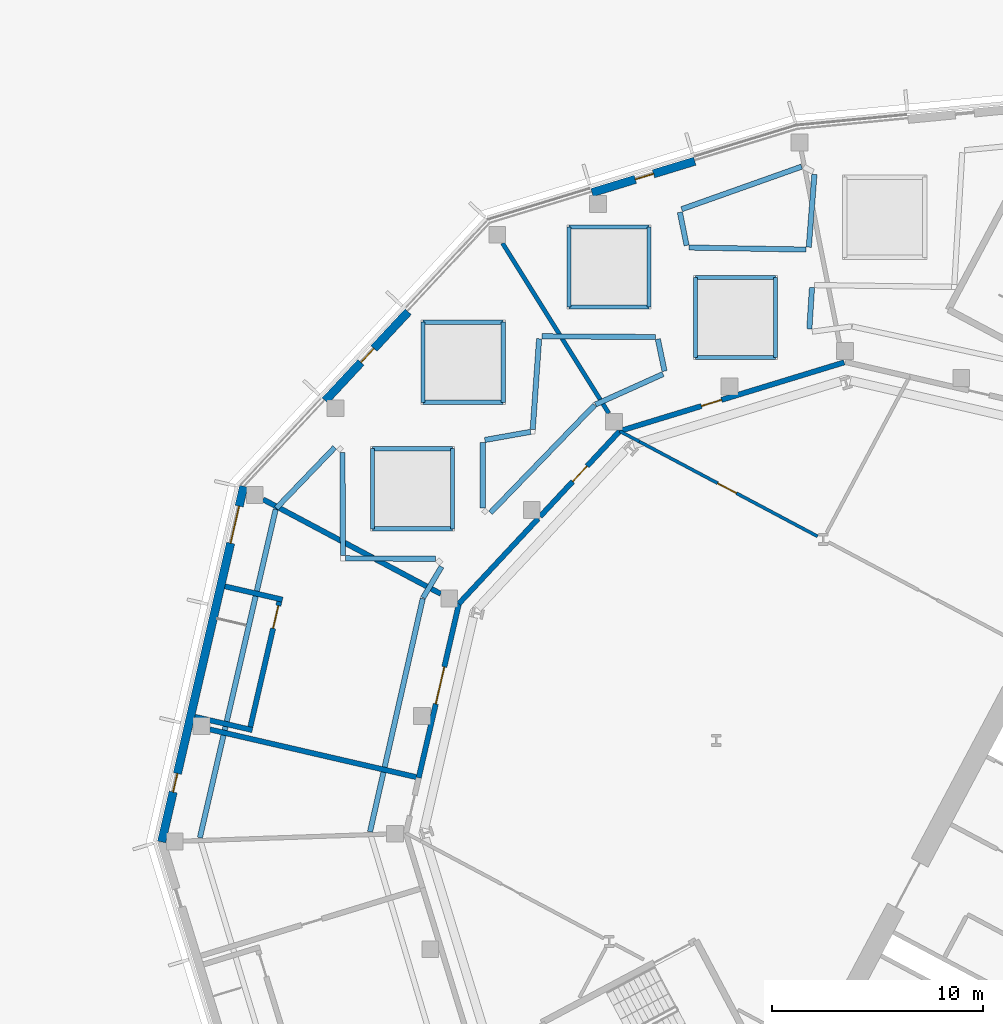
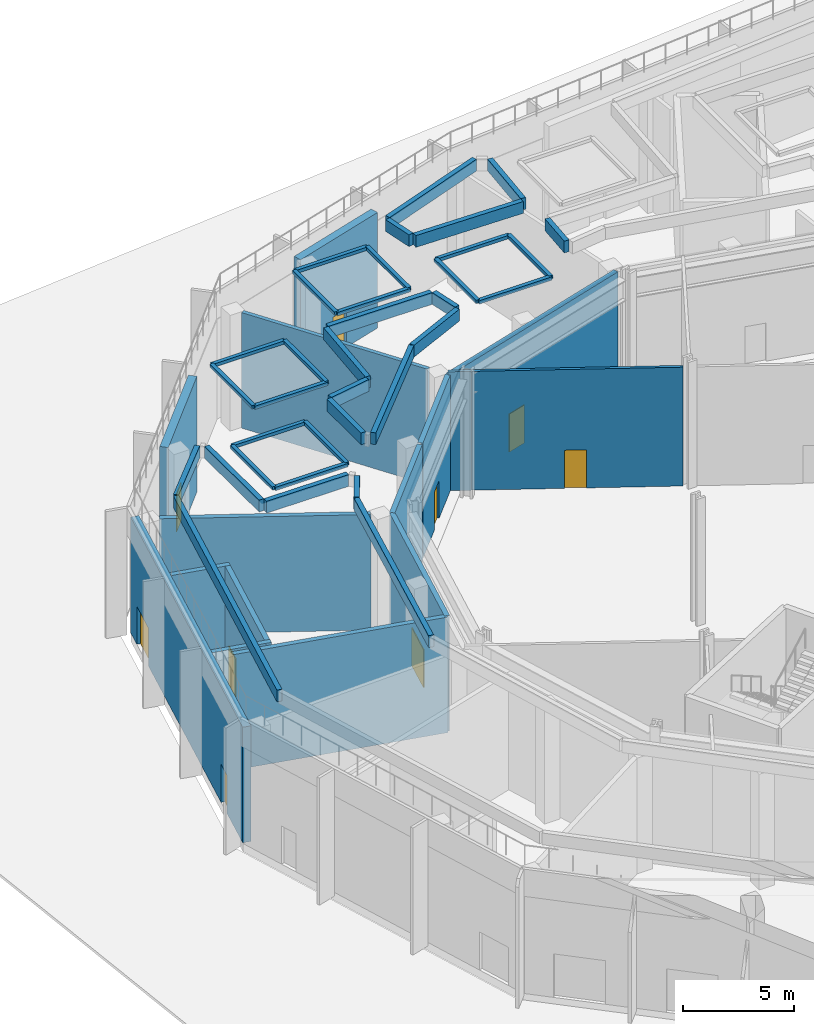
# One storey, part 22 of 57: 49 walls, 9 doors, 9 openings.
"""IFC4 building model written with IfcOpenShell, lengths in metres."""

from ifc_helpers import new_model, si_unit, direction, frame, frame_2d, origin, place, context, subcontext, project, spatial, rectangle, extrude, material, layer, layer_set, type_object, element, fill, save


model = new_model("IFC4")

# Units and contexts
model_context = context("Model", 3, precision=1e-05, world=origin(), true_north=direction((0.0, 1.0)))
body_context = subcontext(model_context, "Body", "Model", "MODEL_VIEW")
ifc_project = project(units=[si_unit("LENGTHUNIT", "METRE"), si_unit("AREAUNIT", "SQUARE_METRE"), si_unit("VOLUMEUNIT", "CUBIC_METRE"), si_unit("PLANEANGLEUNIT", "RADIAN"), si_unit("MASSUNIT", "GRAM", prefix="KILO")], contexts=[model_context])

# Site, building, storey
site_placement = place(None, origin())
site = spatial("IfcSite", under=ifc_project, at=site_placement, CompositionType="ELEMENT")
building_placement = place(site_placement, origin())
building = spatial("IfcBuilding", under=site, at=building_placement, Name="Cormorant Relay Tower", CompositionType="ELEMENT")
storey_placement = place(building_placement, origin())
storey = spatial("IfcBuildingStorey", under=building, at=storey_placement, Name="L00", CompositionType="ELEMENT", Elevation=0.0)

# Wall, opening, door
ifc_material_1 = material(Name="Concrete 40 MPa with granite cladding", Category="masonry")
ifc_layer_1 = layer(ifc_material_1, 0.39990234375)
ifc_layer_set_1 = layer_set([ifc_layer_1], Name="Base facade wall 400")
wall_type_1 = type_object("IfcWallType", Name="Base facade wall 400", PredefinedType="SOLIDWALL", material=ifc_layer_set_1)
wall_1_placement = place(storey_placement, frame((-47.6357421875, 52.260498046875, 0.0), z_axis=(0.0, 0.0, 1.0), x_axis=(-0.956302482885, -0.292379139524, 0.0)))
wall_1 = element("IfcWall", 1, at=wall_1_placement, inside=storey, type_object=wall_type_1, Name="Base facade wall", PredefinedType="SOLIDWALL", context=body_context, shape_type="SweptSolid", body=[
    extrude(rectangle(XDim=5.09765625, YDim=0.39990234375, at=frame_2d((2.548828125, 0.0))), origin(), (0.0, 0.0, 1.0), 6.3701171875),
])
opening_1_placement = place(wall_1_placement, frame((2.049072265625, 0.0, 0.0)))
opening_1 = element("IfcOpeningElement", 2, at=opening_1_placement, cuts=wall_1, Name="Opening PD4-008", PredefinedType="OPENING", context=body_context, shape_type="SweptSolid", body=[
    extrude(rectangle(XDim=0.89990234375, YDim=2.10009765625, at=frame_2d((0.449951171875, 1.050048828125))), frame((0.0, 0.2099609375, 0.0), z_axis=(0.0, -1.0, 0.0), x_axis=(1.0, 0.0, 0.0)), (0.0, 0.0, 1.0), 0.419921875),
])
ifc_material_2 = material(Name="Steel door leaf", Category="steel")
door_type_1 = type_object("IfcDoorType", Name="Door service 900", OperationType="SINGLE_SWING_LEFT", PredefinedType="DOOR", material=ifc_material_2)
door_1_placement = place(opening_1_placement, frame((0.89990234375, 0.0, 0.0), z_axis=(0.0, 0.0, 1.0), x_axis=(-1.0, 0.0, 0.0)))
door_1 = element("IfcDoor", 3, at=door_1_placement, inside=storey, type_object=door_type_1, Name="Service door", OperationType="SINGLE_SWING_RIGHT", OverallHeight=2.10009765625, OverallWidth=0.89990234375, PredefinedType="DOOR", context=body_context, shape_type="SweptSolid", body=[
    extrude(rectangle(XDim=0.89990234375, YDim=2.10009765625, at=frame_2d((0.449951171875, 1.050048828125))), frame((0.0, 0.02490234375, 0.0), z_axis=(0.0, -1.0, 0.0), x_axis=(1.0, 0.0, 0.0)), (0.0, 0.0, 1.0), 0.050048828125),
])
fill(opening_1, door_1)

wall_2_placement = place(storey_placement, frame((-61.231201171875, 45.11669921875, 0.0), z_axis=(0.0, 0.0, 1.0), x_axis=(-0.681974287306, -0.731376149087, 0.0)))
wall_2 = element("IfcWall", 4, at=wall_2_placement, inside=storey, type_object=wall_type_1, Name="Base facade wall", PredefinedType="SOLIDWALL", context=body_context, shape_type="SweptSolid", body=[
    extrude(rectangle(XDim=5.767333984375, YDim=0.39990234375, at=frame_2d((2.8837890625, 0.0))), origin(), (0.0, 0.0, 1.0), 6.3701171875),
])
opening_2_placement = place(wall_2_placement, frame((2.383544921875, 0.0, 0.0)))
opening_2 = element("IfcOpeningElement", 5, at=opening_2_placement, cuts=wall_2, Name="Opening PD4-009", PredefinedType="OPENING", context=body_context, shape_type="SweptSolid", body=[
    extrude(rectangle(XDim=0.89990234375, YDim=2.10009765625, at=frame_2d((0.449951171875, 1.050048828125))), frame((0.0, 0.2099609375, 0.0), z_axis=(0.0, -1.0, 0.0), x_axis=(1.0, 0.0, 0.0)), (0.0, 0.0, 1.0), 0.419921875),
])
door_2_placement = place(opening_2_placement, frame((0.89990234375, 0.0, 0.0), z_axis=(0.0, 0.0, 1.0), x_axis=(-1.0, 0.0, 0.0)))
door_2 = element("IfcDoor", 6, at=door_2_placement, inside=storey, type_object=door_type_1, Name="Service door", OperationType="SINGLE_SWING_RIGHT", OverallHeight=2.10009765625, OverallWidth=0.89990234375, PredefinedType="DOOR", context=body_context, shape_type="SweptSolid", body=[
    extrude(rectangle(XDim=0.89990234375, YDim=2.10009765625, at=frame_2d((0.449951171875, 1.050048828125))), frame((0.0, 0.02490234375, 0.0), z_axis=(0.0, -1.0, 0.0), x_axis=(1.0, 0.0, 0.0)), (0.0, 0.0, 1.0), 0.050048828125),
])
fill(opening_2, door_2)

# Wall, openings, doors
wall_3_placement = place(storey_placement, frame((-69.033935546875, 36.837158203125, 0.0), z_axis=(0.0, 0.0, 1.0), x_axis=(-0.224951161352, -0.974370040081, 0.0)))
wall_3 = element("IfcWall", 7, at=wall_3_placement, inside=storey, type_object=wall_type_1, Name="Base facade wall", PredefinedType="SOLIDWALL", context=body_context, shape_type="SweptSolid", body=[
    extrude(rectangle(XDim=17.31396484375, YDim=0.39990234375, at=frame_2d((8.656982421875, 0.0))), origin(), (0.0, 0.0, 1.0), 6.3701171875),
])
opening_3_placement = place(wall_3_placement, frame((0.96630859375, 0.0, 0.0)))
opening_3 = element("IfcOpeningElement", 8, at=opening_3_placement, cuts=wall_3, Name="Opening PD3-013", PredefinedType="OPENING", context=body_context, shape_type="SweptSolid", body=[
    extrude(rectangle(XDim=1.800048828125, YDim=2.10009765625, at=frame_2d((0.89990234375, 1.050048828125))), frame((0.0, 0.2099609375, 0.0), z_axis=(0.0, -1.0, 0.0), x_axis=(1.0, 0.0, 0.0)), (0.0, 0.0, 1.0), 0.419921875),
])
opening_4_placement = place(wall_3_placement, frame((13.984130859375, 0.0, 0.0)))
opening_4 = element("IfcOpeningElement", 9, at=opening_4_placement, cuts=wall_3, Name="Opening PD4-010", PredefinedType="OPENING", context=body_context, shape_type="SweptSolid", body=[
    extrude(rectangle(XDim=0.89990234375, YDim=2.10009765625, at=frame_2d((0.449951171875, 1.050048828125))), frame((0.0, 0.2099609375, 0.0), z_axis=(0.0, -1.0, 0.0), x_axis=(1.0, 0.0, 0.0)), (0.0, 0.0, 1.0), 0.419921875),
])
ifc_material_3 = material(Name="Steel door leaf", Category="steel")
door_type_2 = type_object("IfcDoorType", Name="Door double 1800", OperationType="DOUBLE_DOOR_SINGLE_SWING", PredefinedType="DOOR", material=ifc_material_3)
door_3_placement = place(opening_3_placement, frame((1.800048828125, 0.0, 0.0), z_axis=(0.0, 0.0, 1.0), x_axis=(-1.0, 0.0, 0.0)))
door_3 = element("IfcDoor", 10, at=door_3_placement, inside=storey, type_object=door_type_2, Name="Exit door", OperationType="DOUBLE_DOOR_SINGLE_SWING", OverallHeight=2.10009765625, OverallWidth=1.800048828125, PredefinedType="DOOR", context=body_context, shape_type="SweptSolid", body=[
    extrude(rectangle(XDim=1.800048828125, YDim=2.10009765625, at=frame_2d((0.89990234375, 1.050048828125))), frame((0.0, 0.02490234375, 0.0), z_axis=(0.0, -1.0, 0.0), x_axis=(1.0, 0.0, 0.0)), (0.0, 0.0, 1.0), 0.050048828125),
])
fill(opening_3, door_3)
door_4_placement = place(opening_4_placement, frame((0.89990234375, 0.0, 0.0), z_axis=(0.0, 0.0, 1.0), x_axis=(-1.0, 0.0, 0.0)))
door_4 = element("IfcDoor", 11, at=door_4_placement, inside=storey, type_object=door_type_1, Name="Service door", OperationType="SINGLE_SWING_RIGHT", OverallHeight=2.10009765625, OverallWidth=0.89990234375, PredefinedType="DOOR", context=body_context, shape_type="SweptSolid", body=[
    extrude(rectangle(XDim=0.89990234375, YDim=2.10009765625, at=frame_2d((0.449951171875, 1.050048828125))), frame((0.0, 0.02490234375, 0.0), z_axis=(0.0, -1.0, 0.0), x_axis=(1.0, 0.0, 0.0)), (0.0, 0.0, 1.0), 0.050048828125),
])
fill(opening_4, door_4)

# Walls
ifc_material_4 = material(Name="Concrete 30 MPa upstand", Category="concrete")
ifc_layer_2 = layer(ifc_material_4, 0.199951171875)
ifc_layer_set_2 = layer_set([ifc_layer_2], Name="Deck rooflight kerb 200")
wall_type_2 = type_object("IfcWallType", Name="Deck rooflight kerb 200", PredefinedType="SOLIDWALL", material=ifc_layer_set_2)
for number, where, z_axis, x_axis, name in (
    (12, (-49.805908203125, 45.343017578125, 6.919921875), (0.0, 0.0, 1.0), (-1.0, 0.0, 0.0), "Rooflight kerb"),
    (13, (-53.60595703125, 45.343017578125, 6.919921875), (0.0, 0.0, 1.0), (0.0, 1.0, 0.0), "Rooflight kerb"),
    (14, (-53.60595703125, 49.14306640625, 6.919921875), (0.0, 0.0, 1.0), (1.0, 0.0, 0.0), "Rooflight kerb"),
    (15, (-49.805908203125, 49.14306640625, 6.919921875), (0.0, 0.0, 1.0), (0.0, -1.0, 0.0), "Rooflight kerb"),
    (16, (-43.805908203125, 42.943115234375, 6.919921875), (0.0, 0.0, 1.0), (-1.0, 0.0, 0.0), "Rooflight kerb"),
):
    element("IfcWall", number, at=place(storey_placement, frame(where, z_axis=z_axis, x_axis=x_axis)), inside=storey, type_object=wall_type_2, Name=name, PredefinedType="SOLIDWALL", context=body_context, shape_type="SweptSolid", body=[
        extrude(rectangle(XDim=3.800048828125, YDim=0.199951171875, at=frame_2d((1.89990234375, 0.0))), origin(), (0.0, 0.0, 1.0), 0.18017578125),
    ])
wall_4_placement = place(storey_placement, frame((-47.60595703125, 42.943115234375, 6.919921875), z_axis=(0.0, 0.0, 1.0), x_axis=(0.0, 1.0, 0.0)))
element("IfcWall", 17, at=wall_4_placement, inside=storey, type_object=wall_type_2, Name="Rooflight kerb", PredefinedType="SOLIDWALL", context=body_context, shape_type="SweptSolid", body=[
    extrude(rectangle(XDim=3.7998046875, YDim=0.199951171875, at=frame_2d((1.89990234375, 0.0))), origin(), (0.0, 0.0, 1.0), 0.18017578125),
])
wall_5_placement = place(storey_placement, frame((-47.60595703125, 46.742919921875, 6.919921875), z_axis=(0.0, 0.0, 1.0), x_axis=(1.0, 0.0, 0.0)))
element("IfcWall", 18, at=wall_5_placement, inside=storey, type_object=wall_type_2, Name="Rooflight kerb", PredefinedType="SOLIDWALL", context=body_context, shape_type="SweptSolid", body=[
    extrude(rectangle(XDim=3.800048828125, YDim=0.199951171875, at=frame_2d((1.89990234375, 0.0))), origin(), (0.0, 0.0, 1.0), 0.18017578125),
])
wall_6_placement = place(storey_placement, frame((-43.805908203125, 46.742919921875, 6.919921875), z_axis=(0.0, 0.0, 1.0), x_axis=(0.0, -1.0, 0.0)))
element("IfcWall", 19, at=wall_6_placement, inside=storey, type_object=wall_type_2, Name="Rooflight kerb", PredefinedType="SOLIDWALL", context=body_context, shape_type="SweptSolid", body=[
    extrude(rectangle(XDim=3.7998046875, YDim=0.199951171875, at=frame_2d((1.89990234375, 0.0))), origin(), (0.0, 0.0, 1.0), 0.18017578125),
])
for number, where, z_axis, x_axis, name in (
    (20, (-59.1240234375, 34.820068359375, 6.919921875), (0.0, 0.0, 1.0), (-1.0, 0.0, 0.0), "Rooflight kerb"),
    (21, (-62.924072265625, 34.820068359375, 6.919921875), (0.0, 0.0, 1.0), (0.0, 1.0, 0.0), "Rooflight kerb"),
    (22, (-62.924072265625, 38.6201171875, 6.919921875), (0.0, 0.0, 1.0), (1.0, 0.0, 0.0), "Rooflight kerb"),
    (23, (-59.1240234375, 38.6201171875, 6.919921875), (0.0, 0.0, 1.0), (0.0, -1.0, 0.0), "Rooflight kerb"),
):
    element("IfcWall", number, at=place(storey_placement, frame(where, z_axis=z_axis, x_axis=x_axis)), inside=storey, type_object=wall_type_2, Name=name, PredefinedType="SOLIDWALL", context=body_context, shape_type="SweptSolid", body=[
        extrude(rectangle(XDim=3.800048828125, YDim=0.199951171875, at=frame_2d((1.89990234375, 0.0))), origin(), (0.0, 0.0, 1.0), 0.18017578125),
    ])
wall_7_placement = place(storey_placement, frame((-56.72412109375, 40.820068359375, 6.919921875), z_axis=(0.0, 0.0, 1.0), x_axis=(-1.0, 0.0, 0.0)))
element("IfcWall", 24, at=wall_7_placement, inside=storey, type_object=wall_type_2, Name="Rooflight kerb", PredefinedType="SOLIDWALL", context=body_context, shape_type="SweptSolid", body=[
    extrude(rectangle(XDim=3.7998046875, YDim=0.199951171875, at=frame_2d((1.89990234375, 0.0))), origin(), (0.0, 0.0, 1.0), 0.18017578125),
])
wall_8_placement = place(storey_placement, frame((-60.52392578125, 40.820068359375, 6.919921875), z_axis=(0.0, 0.0, 1.0), x_axis=(0.0, 1.0, 0.0)))
element("IfcWall", 25, at=wall_8_placement, inside=storey, type_object=wall_type_2, Name="Rooflight kerb", PredefinedType="SOLIDWALL", context=body_context, shape_type="SweptSolid", body=[
    extrude(rectangle(XDim=3.800048828125, YDim=0.199951171875, at=frame_2d((1.89990234375, 0.0))), origin(), (0.0, 0.0, 1.0), 0.18017578125),
])
wall_9_placement = place(storey_placement, frame((-60.52392578125, 44.6201171875, 6.919921875), z_axis=(0.0, 0.0, 1.0), x_axis=(1.0, 0.0, 0.0)))
element("IfcWall", 26, at=wall_9_placement, inside=storey, type_object=wall_type_2, Name="Rooflight kerb", PredefinedType="SOLIDWALL", context=body_context, shape_type="SweptSolid", body=[
    extrude(rectangle(XDim=3.7998046875, YDim=0.199951171875, at=frame_2d((1.89990234375, 0.0))), origin(), (0.0, 0.0, 1.0), 0.18017578125),
])
wall_10_placement = place(storey_placement, frame((-56.72412109375, 44.6201171875, 6.919921875), z_axis=(0.0, 0.0, 1.0), x_axis=(0.0, -1.0, 0.0)))
element("IfcWall", 27, at=wall_10_placement, inside=storey, type_object=wall_type_2, Name="Rooflight kerb", PredefinedType="SOLIDWALL", context=body_context, shape_type="SweptSolid", body=[
    extrude(rectangle(XDim=3.800048828125, YDim=0.199951171875, at=frame_2d((1.89990234375, 0.0))), origin(), (0.0, 0.0, 1.0), 0.18017578125),
])

# Wall, opening, door
ifc_material_5 = material(Name="Concrete masonry 20 MPa", Category="masonry")
ifc_layer_3 = layer(ifc_material_5, 0.25)
ifc_layer_set_3 = layer_set([ifc_layer_3], Name="Fire separation wall 250")
wall_type_3 = type_object("IfcWallType", Name="Fire separation wall 250", PredefinedType="SOLIDWALL", material=ifc_layer_set_3)
wall_11_placement = place(storey_placement, frame((-51.19287109375, 39.458984375, 0.0), z_axis=(0.0, 0.0, 1.0), x_axis=(0.95625380249, 0.292538314113, 0.0)))
wall_11 = element("IfcWall", 28, at=wall_11_placement, inside=storey, type_object=wall_type_3, Name="Partition", PredefinedType="SOLIDWALL", context=body_context, shape_type="SweptSolid", body=[
    extrude(rectangle(XDim=11.133056640625, YDim=0.25, at=frame_2d((5.56640625, 0.0))), origin(), (0.0, 0.0, 1.0), 6.3701171875),
])
opening_5_placement = place(wall_11_placement, frame((4.050048828125, 0.0, 0.0)))
opening_5 = element("IfcOpeningElement", 29, at=opening_5_placement, cuts=wall_11, Name="Opening PD1-068", PredefinedType="OPENING", context=body_context, shape_type="SweptSolid", body=[
    extrude(rectangle(XDim=1.0, YDim=2.10009765625, at=frame_2d((0.5, 1.050048828125))), frame((0.0, 0.135009765625, 0.0), z_axis=(0.0, -1.0, 0.0), x_axis=(1.0, 0.0, 0.0)), (0.0, 0.0, 1.0), 0.27001953125),
])
ifc_material_6 = material(Name="Steel door leaf", Category="steel")
door_type_3 = type_object("IfcDoorType", Name="Door single 1000", OperationType="SINGLE_SWING_LEFT", PredefinedType="DOOR", material=ifc_material_6)
door_5_placement = place(opening_5_placement, frame((1.0, 0.0, 0.0), z_axis=(0.0, 0.0, 1.0), x_axis=(-1.0, 0.0, 0.0)))
door_5 = element("IfcDoor", 30, at=door_5_placement, inside=storey, type_object=door_type_3, Name="Door", OperationType="SINGLE_SWING_LEFT", OverallHeight=2.10009765625, OverallWidth=1.0, PredefinedType="DOOR", context=body_context, shape_type="SweptSolid", body=[
    extrude(rectangle(XDim=1.0, YDim=2.10009765625, at=frame_2d((0.5, 1.050048828125))), frame((0.0, 0.02490234375, 0.0), z_axis=(0.0, -1.0, 0.0), x_axis=(1.0, 0.0, 0.0)), (0.0, 0.0, 1.0), 0.050048828125),
])
fill(opening_5, door_5)

# Walls
wall_12_placement = place(storey_placement, frame((-68.112060546875, 36.2158203125, 0.0), z_axis=(0.0, 0.0, 1.0), x_axis=(0.882949504028, -0.469467968382, 0.0)))
element("IfcWall", 31, at=wall_12_placement, inside=storey, type_object=wall_type_3, Name="Partition", PredefinedType="SOLIDWALL", context=body_context, shape_type="SweptSolid", body=[
    extrude(rectangle(XDim=9.550048828125, YDim=0.25, at=frame_2d((4.77490234375, 0.0))), origin(), (0.0, 0.0, 1.0), 6.3701171875),
])
wall_13_placement = place(storey_placement, frame((-58.823974609375, 31.272705078125, 0.0), z_axis=(0.0, 0.0, 1.0), x_axis=(0.681856343792, 0.73148610816, 0.0)))
element("IfcWall", 32, at=wall_13_placement, inside=storey, type_object=wall_type_3, Name="Partition", PredefinedType="SOLIDWALL", context=body_context, shape_type="SweptSolid", body=[
    extrude(rectangle(XDim=5.519287109375, YDim=0.25, at=frame_2d((2.759765625, 0.0))), origin(), (0.0, 0.0, 1.0), 6.3701171875),
])

# Wall, opening, door
wall_14_placement = place(storey_placement, frame((-54.971923828125, 35.405029296875, 0.0), z_axis=(0.0, 0.0, 1.0), x_axis=(0.681862401645, 0.731480461273, 0.0)))
wall_14 = element("IfcWall", 33, at=wall_14_placement, inside=storey, type_object=wall_type_3, Name="Partition", PredefinedType="SOLIDWALL", context=body_context, shape_type="SweptSolid", body=[
    extrude(rectangle(XDim=5.535400390625, YDim=0.25, at=frame_2d((2.767578125, 0.0))), origin(), (0.0, 0.0, 1.0), 6.3701171875),
])
opening_6_placement = place(wall_14_placement, frame((2.26806640625, 0.0, 0.0)))
opening_6 = element("IfcOpeningElement", 34, at=opening_6_placement, cuts=wall_14, Name="Opening PD1-069", PredefinedType="OPENING", context=body_context, shape_type="SweptSolid", body=[
    extrude(rectangle(XDim=1.0, YDim=2.10009765625, at=frame_2d((0.5, 1.050048828125))), frame((0.0, 0.135009765625, 0.0), z_axis=(0.0, -1.0, 0.0), x_axis=(1.0, 0.0, 0.0)), (0.0, 0.0, 1.0), 0.27001953125),
])
door_6_placement = place(opening_6_placement, origin())
door_6 = element("IfcDoor", 35, at=door_6_placement, inside=storey, type_object=door_type_3, Name="Door", OperationType="SINGLE_SWING_RIGHT", OverallHeight=2.10009765625, OverallWidth=1.0, PredefinedType="DOOR", context=body_context, shape_type="SweptSolid", body=[
    extrude(rectangle(XDim=1.0, YDim=2.10009765625, at=frame_2d((0.5, 1.050048828125))), frame((0.0, 0.02490234375, 0.0), z_axis=(0.0, -1.0, 0.0), x_axis=(1.0, 0.0, 0.0)), (0.0, 0.0, 1.0), 0.050048828125),
])
fill(opening_6, door_6)

# Wall
wall_15_placement = place(storey_placement, frame((-70.64306640625, 25.302978515625, 0.0), z_axis=(0.0, 0.0, 1.0), x_axis=(0.974368540913, -0.224957654857, 0.0)))
element("IfcWall", 36, at=wall_15_placement, inside=storey, type_object=wall_type_3, Name="Partition", PredefinedType="SOLIDWALL", context=body_context, shape_type="SweptSolid", body=[
    extrude(rectangle(XDim=10.17333984375, YDim=0.25, at=frame_2d((5.086669921875, 0.0))), origin(), (0.0, 0.0, 1.0), 6.3701171875),
])

# Wall, opening, door
wall_16_placement = place(storey_placement, frame((-60.7314453125, 23.010498046875, 0.0), z_axis=(0.0, 0.0, 1.0), x_axis=(0.225176723851, 0.974317937347, 0.0)))
wall_16 = element("IfcWall", 37, at=wall_16_placement, inside=storey, type_object=wall_type_3, Name="Partition", PredefinedType="SOLIDWALL", context=body_context, shape_type="SweptSolid", body=[
    extrude(rectangle(XDim=8.4873046875, YDim=0.25, at=frame_2d((4.24365234375, 0.0))), origin(), (0.0, 0.0, 1.0), 6.3701171875),
])
opening_7_placement = place(wall_16_placement, frame((3.593994140625, 0.0, 0.0)))
opening_7 = element("IfcOpeningElement", 38, at=opening_7_placement, cuts=wall_16, Name="Opening PD3-018", PredefinedType="OPENING", context=body_context, shape_type="SweptSolid", body=[
    extrude(rectangle(XDim=1.800048828125, YDim=2.10009765625, at=frame_2d((0.89990234375, 1.050048828125))), frame((0.0, 0.135009765625, 0.0), z_axis=(0.0, -1.0, 0.0), x_axis=(1.0, 0.0, 0.0)), (0.0, 0.0, 1.0), 0.27001953125),
])
door_7_placement = place(opening_7_placement, origin())
door_7 = element("IfcDoor", 39, at=door_7_placement, inside=storey, type_object=door_type_2, Name="Door", OperationType="DOUBLE_DOOR_SINGLE_SWING", OverallHeight=2.10009765625, OverallWidth=1.800048828125, PredefinedType="DOOR", context=body_context, shape_type="SweptSolid", body=[
    extrude(rectangle(XDim=1.800048828125, YDim=2.10009765625, at=frame_2d((0.89990234375, 1.050048828125))), frame((0.0, 0.02490234375, 0.0), z_axis=(0.0, -1.0, 0.0), x_axis=(1.0, 0.0, 0.0)), (0.0, 0.0, 1.0), 0.050048828125),
])
fill(opening_7, door_7)

# Walls
for number, where, z_axis, x_axis, name in (
    (40, (-69.924560546875, 32.09033203125, 0.0), (0.0, 0.0, 1.0), (0.974369148124, -0.224955024802, 0.0), "Stair enclosure wall"),
    (41, (-71.35302734375, 25.903076171875, 0.0), (0.0, 0.0, 1.0), (0.974369148124, -0.224955024802, 0.0), "Stair enclosure wall"),
):
    element("IfcWall", number, at=place(storey_placement, frame(where, z_axis=z_axis, x_axis=x_axis)), inside=storey, type_object=wall_type_3, Name=name, PredefinedType="SOLIDWALL", context=body_context, shape_type="SweptSolid", body=[
        extrude(rectangle(XDim=2.800048828125, YDim=0.25, at=frame_2d((1.39990234375, 0.0))), origin(), (0.0, 0.0, 1.0), 6.3701171875),
    ])

# Wall, opening, door
wall_17_placement = place(storey_placement, frame((-67.2900390625, 31.6103515625, 0.0), z_axis=(0.0, 0.0, 1.0), x_axis=(-0.224940552999, -0.974372489152, 0.0)))
wall_17 = element("IfcWall", 42, at=wall_17_placement, inside=storey, type_object=wall_type_3, Name="Stair enclosure wall", PredefinedType="SOLIDWALL", context=body_context, shape_type="SweptSolid", body=[
    extrude(rectangle(XDim=6.60009765625, YDim=0.25, at=frame_2d((3.300048828125, 0.0))), origin(), (0.0, 0.0, 1.0), 6.3701171875),
])
opening_8_placement = place(wall_17_placement, frame((0.449951171875, 0.0, 0.0)))
opening_8 = element("IfcOpeningElement", 43, at=opening_8_placement, cuts=wall_17, Name="Opening PD10-011", PredefinedType="OPENING", context=body_context, shape_type="SweptSolid", body=[
    extrude(rectangle(XDim=1.10009765625, YDim=2.10009765625, at=frame_2d((0.550048828125, 1.050048828125))), frame((0.0, 0.135009765625, 0.0), z_axis=(0.0, -1.0, 0.0), x_axis=(1.0, 0.0, 0.0)), (0.0, 0.0, 1.0), 0.27001953125),
])
ifc_material_7 = material(Name="Steel fire door leaf", Category="steel")
door_type_4 = type_object("IfcDoorType", Name="Door stair 1100", OperationType="SINGLE_SWING_LEFT", PredefinedType="DOOR", material=ifc_material_7)
door_8_placement = place(opening_8_placement, frame((1.10009765625, 0.0, 0.0), z_axis=(0.0, 0.0, 1.0), x_axis=(-1.0, 0.0, 0.0)))
door_8 = element("IfcDoor", 44, at=door_8_placement, inside=storey, type_object=door_type_4, Name="Stair door", OperationType="SINGLE_SWING_RIGHT", OverallHeight=2.10009765625, OverallWidth=1.10009765625, PredefinedType="DOOR", context=body_context, shape_type="SweptSolid", body=[
    extrude(rectangle(XDim=1.10009765625, YDim=2.10009765625, at=frame_2d((0.550048828125, 1.050048828125))), frame((0.0, 0.02490234375, 0.0), z_axis=(0.0, -1.0, 0.0), x_axis=(1.0, 0.0, 0.0)), (0.0, 0.0, 1.0), 0.050048828125),
])
fill(opening_8, door_8)

ifc_material_8 = material(Name="Gypsum board on steel stud", Category="steel")
ifc_layer_4 = layer(ifc_material_8, 0.14990234375)
ifc_layer_set_4 = layer_set([ifc_layer_4], Name="Partition 150")
wall_type_4 = type_object("IfcWallType", Name="Partition 150", PredefinedType="PARTITIONING", material=ifc_layer_set_4)
wall_18_placement = place(storey_placement, frame((-41.8115234375, 34.46337890625, 0.0), z_axis=(0.0, 0.0, 1.0), x_axis=(-0.882945529205, 0.469475443935, 0.0)))
wall_18 = element("IfcWall", 45, at=wall_18_placement, inside=storey, type_object=wall_type_4, Name="Partition", PredefinedType="PARTITIONING", context=body_context, shape_type="SweptSolid", body=[
    extrude(rectangle(XDim=9.568603515625, YDim=0.14990234375, at=frame_2d((4.7841796875, 0.0))), origin(), (0.0, 0.0, 1.0), 6.550048828125),
])
opening_9_placement = place(wall_18_placement, frame((4.361572265625, 0.0, 0.0)))
opening_9 = element("IfcOpeningElement", 46, at=opening_9_placement, cuts=wall_18, Name="Opening PD1-075", PredefinedType="OPENING", context=body_context, shape_type="SweptSolid", body=[
    extrude(rectangle(XDim=1.0, YDim=2.10009765625, at=frame_2d((0.5, 1.050048828125))), frame((0.0, 0.0849609375, 0.0), z_axis=(0.0, -1.0, 0.0), x_axis=(1.0, 0.0, 0.0)), (0.0, 0.0, 1.0), 0.169921875),
])
door_9_placement = place(opening_9_placement, frame((1.0, 0.0, 0.0), z_axis=(0.0, 0.0, 1.0), x_axis=(-1.0, 0.0, 0.0)))
door_9 = element("IfcDoor", 47, at=door_9_placement, inside=storey, type_object=door_type_3, Name="Door", OperationType="SINGLE_SWING_RIGHT", OverallHeight=2.10009765625, OverallWidth=1.0, PredefinedType="DOOR", context=body_context, shape_type="SweptSolid", body=[
    extrude(rectangle(XDim=1.0, YDim=2.10009765625, at=frame_2d((0.5, 1.050048828125))), frame((0.0, 0.02490234375, 0.0), z_axis=(0.0, -1.0, 0.0), x_axis=(1.0, 0.0, 0.0)), (0.0, 0.0, 1.0), 0.050048828125),
])
fill(opening_9, door_9)

# Walls
wall_19_placement = place(storey_placement, frame((-50.260009765625, 38.95556640625, 0.0), z_axis=(0.0, 0.0, 1.0), x_axis=(-0.882925119508, 0.469513826572, 0.0)))
element("IfcWall", 48, at=wall_19_placement, inside=storey, type_object=wall_type_4, Name="Partition", PredefinedType="PARTITIONING", context=body_context, shape_type="SweptSolid", body=[
    extrude(rectangle(XDim=1.061767578125, YDim=0.14990234375, at=frame_2d((0.53076171875, 0.0))), origin(), (0.0, 0.0, 1.0), 6.550048828125),
])
ifc_material_9 = material(Name="Concrete masonry 20 MPa", Category="masonry")
ifc_layer_5 = layer(ifc_material_9, 0.199951171875)
ifc_layer_set_5 = layer_set([ifc_layer_5], Name="Plant room wall 200")
wall_type_5 = type_object("IfcWallType", Name="Plant room wall 200", PredefinedType="PARTITIONING", material=ifc_layer_set_5)
wall_20_placement = place(storey_placement, frame((-56.755126953125, 48.367919921875, 0.0), z_axis=(0.0, 0.0, 1.0), x_axis=(0.529920498626, -0.848047324821, 0.0)))
element("IfcWall", 49, at=wall_20_placement, inside=storey, type_object=wall_type_5, Name="Partition", PredefinedType="PARTITIONING", context=body_context, shape_type="SweptSolid", body=[
    extrude(rectangle(XDim=9.51220703125, YDim=0.199951171875, at=frame_2d((4.756103515625, 0.0))), origin(), (0.0, 0.0, 1.0), 6.3701171875),
])
ifc_material_10 = material(Name="Concrete 40 MPa", Category="concrete")
ifc_layer_6 = layer(ifc_material_10, 0.25)
ifc_layer_set_6 = layer_set([ifc_layer_6], Name="Planter kerb 250")
wall_type_6 = type_object("IfcWallType", Name="Planter kerb 250", PredefinedType="STANDARD", material=ifc_layer_set_6)
wall_21_placement = place(storey_placement, frame((-71.1123046875, 20.166015625, 7.0), z_axis=(0.0, 0.0, 1.0), x_axis=(0.22494984807, 0.974370343275, 0.0)))
element("IfcWall", 50, at=wall_21_placement, inside=storey, type_object=wall_type_6, Name="PLANTER 06 kerb", PredefinedType="STANDARD", context=body_context, shape_type="SweptSolid", body=[
    extrude(rectangle(XDim=15.986572265625, YDim=0.25, at=frame_2d((7.9931640625, 0.0))), origin(), (0.0, 0.0, 1.0), 0.64990234375),
])
wall_22_placement = place(storey_placement, frame((-67.484375, 35.80126953125, 7.0), z_axis=(0.0, 0.0, 1.0), x_axis=(0.693207741867, 0.720737834872, 0.0)))
element("IfcWall", 51, at=wall_22_placement, inside=storey, type_object=wall_type_6, Name="PLANTER 06 kerb", PredefinedType="STANDARD", context=body_context, shape_type="SweptSolid", body=[
    extrude(rectangle(XDim=3.99072265625, YDim=0.25, at=frame_2d((1.995361328125, 0.0))), origin(), (0.0, 0.0, 1.0), 0.64990234375),
])
wall_23_placement = place(storey_placement, frame((-64.348388671875, 38.4404296875, 7.0), z_axis=(0.0, 0.0, 1.0), x_axis=(0.004635810811, -0.999989254571, 0.0)))
element("IfcWall", 52, at=wall_23_placement, inside=storey, type_object=wall_type_6, Name="PLANTER 06 kerb", PredefinedType="STANDARD", context=body_context, shape_type="SweptSolid", body=[
    extrude(rectangle(XDim=4.897705078125, YDim=0.25, at=frame_2d((2.44873046875, 0.0))), origin(), (0.0, 0.0, 1.0), 0.64990234375),
])
wall_24_placement = place(storey_placement, frame((-64.201416015625, 33.418212890625, 7.0), z_axis=(0.0, 0.0, 1.0), x_axis=(0.99998580333, -0.005328521155, 0.0)))
element("IfcWall", 53, at=wall_24_placement, inside=storey, type_object=wall_type_6, Name="PLANTER 06 kerb", PredefinedType="STANDARD", context=body_context, shape_type="SweptSolid", body=[
    extrude(rectangle(XDim=4.260986328125, YDim=0.25, at=frame_2d((2.13037109375, 0.0))), origin(), (0.0, 0.0, 1.0), 0.64990234375),
])
wall_25_placement = place(storey_placement, frame((-59.64697265625, 33.024169921875, 7.0), z_axis=(0.0, 0.0, 1.0), x_axis=(-0.511061192034, -0.859544331606, 0.0)))
element("IfcWall", 54, at=wall_25_placement, inside=storey, type_object=wall_type_6, Name="PLANTER 06 kerb", PredefinedType="STANDARD", context=body_context, shape_type="SweptSolid", body=[
    extrude(rectangle(XDim=1.71630859375, YDim=0.25, at=frame_2d((0.858154296875, 0.0))), origin(), (0.0, 0.0, 1.0), 0.64990234375),
])
wall_26_placement = place(storey_placement, frame((-60.53857421875, 31.5126953125, 7.0), z_axis=(0.0, 0.0, 1.0), x_axis=(-0.220607009729, -0.975362777257, 0.0)))
element("IfcWall", 55, at=wall_26_placement, inside=storey, type_object=wall_type_6, Name="PLANTER 06 kerb", PredefinedType="STANDARD", context=body_context, shape_type="SweptSolid", body=[
    extrude(rectangle(XDim=11.343505859375, YDim=0.25, at=frame_2d((5.671875, 0.0))), origin(), (0.0, 0.0, 1.0), 0.64990234375),
])
wall_27_placement = place(storey_placement, frame((-42.19970703125, 44.304931640625, 7.0), z_axis=(0.0, 0.0, 1.0), x_axis=(0.063763366374, 0.997965046036, 0.0)))
element("IfcWall", 56, at=wall_27_placement, inside=storey, type_object=wall_type_6, Name="PLANTER 11 kerb", PredefinedType="STANDARD", context=body_context, shape_type="SweptSolid", body=[
    extrude(rectangle(XDim=1.964111328125, YDim=0.25, at=frame_2d((0.98193359375, 0.0))), origin(), (0.0, 0.0, 1.0), 0.64990234375),
])
wall_28_placement = place(storey_placement, frame((-55.322509765625, 39.534423828125, 7.0), z_axis=(0.0, 0.0, 1.0), x_axis=(0.070321561657, 0.997524374623, 0.0)))
element("IfcWall", 57, at=wall_28_placement, inside=storey, type_object=wall_type_6, Name="PLANTER 12 kerb", PredefinedType="STANDARD", context=body_context, shape_type="SweptSolid", body=[
    extrude(rectangle(XDim=4.31201171875, YDim=0.25, at=frame_2d((2.156005859375, 0.0))), origin(), (0.0, 0.0, 1.0), 0.64990234375),
])
wall_29_placement = place(storey_placement, frame((-54.893798828125, 43.951904296875, 7.0), z_axis=(0.0, 0.0, 1.0), x_axis=(0.999981548345, -0.006074781371, 0.0)))
element("IfcWall", 58, at=wall_29_placement, inside=storey, type_object=wall_type_6, Name="PLANTER 12 kerb", PredefinedType="STANDARD", context=body_context, shape_type="SweptSolid", body=[
    extrude(rectangle(XDim=5.38525390625, YDim=0.25, at=frame_2d((2.692626953125, 0.0))), origin(), (0.0, 0.0, 1.0), 0.64990234375),
])
wall_30_placement = place(storey_placement, frame((-49.386962890625, 43.81982421875, 7.0), z_axis=(0.0, 0.0, 1.0), x_axis=(0.204607360425, -0.978844128582, 0.0)))
element("IfcWall", 59, at=wall_30_placement, inside=storey, type_object=wall_type_6, Name="PLANTER 12 kerb", PredefinedType="STANDARD", context=body_context, shape_type="SweptSolid", body=[
    extrude(rectangle(XDim=1.552490234375, YDim=0.25, at=frame_2d((0.7763671875, 0.0))), origin(), (0.0, 0.0, 1.0), 0.64990234375),
])
wall_31_placement = place(storey_placement, frame((-49.140380859375, 42.160888671875, 7.0), z_axis=(0.0, 0.0, 1.0), x_axis=(-0.911744798019, -0.410757134187, 0.0)))
element("IfcWall", 60, at=wall_31_placement, inside=storey, type_object=wall_type_6, Name="PLANTER 12 kerb", PredefinedType="STANDARD", context=body_context, shape_type="SweptSolid", body=[
    extrude(rectangle(XDim=3.517578125, YDim=0.25, at=frame_2d((1.7587890625, 0.0))), origin(), (0.0, 0.0, 1.0), 0.64990234375),
])
wall_32_placement = place(storey_placement, frame((-52.385986328125, 40.68896484375, 7.0), z_axis=(0.0, 0.0, 1.0), x_axis=(-0.695198363839, -0.718817942817, 0.0)))
element("IfcWall", 61, at=wall_32_placement, inside=storey, type_object=wall_type_6, Name="PLANTER 12 kerb", PredefinedType="STANDARD", context=body_context, shape_type="SweptSolid", body=[
    extrude(rectangle(XDim=7.111328125, YDim=0.25, at=frame_2d((3.5556640625, 0.0))), origin(), (0.0, 0.0, 1.0), 0.64990234375),
])
wall_33_placement = place(storey_placement, frame((-57.698974609375, 35.814697265625, 7.0), z_axis=(0.0, 0.0, 1.0), x_axis=(0.0, 1.0, 0.0)))
element("IfcWall", 62, at=wall_33_placement, inside=storey, type_object=wall_type_6, Name="PLANTER 12 kerb", PredefinedType="STANDARD", context=body_context, shape_type="SweptSolid", body=[
    extrude(rectangle(XDim=3.095947265625, YDim=0.25, at=frame_2d((1.5478515625, 0.0))), origin(), (0.0, 0.0, 1.0), 0.64990234375),
])
wall_34_placement = place(storey_placement, frame((-57.595947265625, 39.03369140625, 7.0), z_axis=(0.0, 0.0, 1.0), x_axis=(0.984517100609, 0.175288558122, 0.0)))
element("IfcWall", 63, at=wall_34_placement, inside=storey, type_object=wall_type_6, Name="PLANTER 12 kerb", PredefinedType="STANDARD", context=body_context, shape_type="SweptSolid", body=[
    extrude(rectangle(XDim=2.204833984375, YDim=0.25, at=frame_2d((1.1025390625, 0.0))), origin(), (0.0, 0.0, 1.0), 0.64990234375),
])
wall_35_placement = place(storey_placement, frame((-48.260009765625, 49.97998046875, 7.0), z_axis=(0.0, 0.0, 1.0), x_axis=(0.942370213367, 0.334571936896, 0.0)))
element("IfcWall", 64, at=wall_35_placement, inside=storey, type_object=wall_type_6, Name="PLANTER 14 kerb", PredefinedType="STANDARD", context=body_context, shape_type="SweptSolid", body=[
    extrude(rectangle(XDim=6.041259765625, YDim=0.25, at=frame_2d((3.0205078125, 0.0))), origin(), (0.0, 0.0, 1.0), 0.64990234375),
])
wall_36_placement = place(storey_placement, frame((-41.959228515625, 51.63671875, 7.0), z_axis=(0.0, 0.0, 1.0), x_axis=(-0.077175731769, -0.997017505576, 0.0)))
element("IfcWall", 65, at=wall_36_placement, inside=storey, type_object=wall_type_6, Name="PLANTER 14 kerb", PredefinedType="STANDARD", context=body_context, shape_type="SweptSolid", body=[
    extrude(rectangle(XDim=3.467041015625, YDim=0.25, at=frame_2d((1.7333984375, 0.0))), origin(), (0.0, 0.0, 1.0), 0.64990234375),
])
wall_37_placement = place(storey_placement, frame((-42.353515625, 48.0654296875, 7.0), z_axis=(0.0, 0.0, 1.0), x_axis=(-0.999841299686, 0.017815034156, 0.0)))
element("IfcWall", 66, at=wall_37_placement, inside=storey, type_object=wall_type_6, Name="PLANTER 14 kerb", PredefinedType="STANDARD", context=body_context, shape_type="SweptSolid", body=[
    extrude(rectangle(XDim=5.55029296875, YDim=0.25, at=frame_2d((2.775146484375, 0.0))), origin(), (0.0, 0.0, 1.0), 0.64990234375),
])
wall_38_placement = place(storey_placement, frame((-48.023193359375, 48.2646484375, 7.0), z_axis=(0.0, 0.0, 1.0), x_axis=(-0.197813053974, 0.980239764383, 0.0)))
element("IfcWall", 67, at=wall_38_placement, inside=storey, type_object=wall_type_6, Name="PLANTER 14 kerb", PredefinedType="STANDARD", context=body_context, shape_type="SweptSolid", body=[
    extrude(rectangle(XDim=1.6044921875, YDim=0.25, at=frame_2d((0.80224609375, 0.0))), origin(), (0.0, 0.0, 1.0), 0.64990234375),
])

save(model, "model.ifc")
